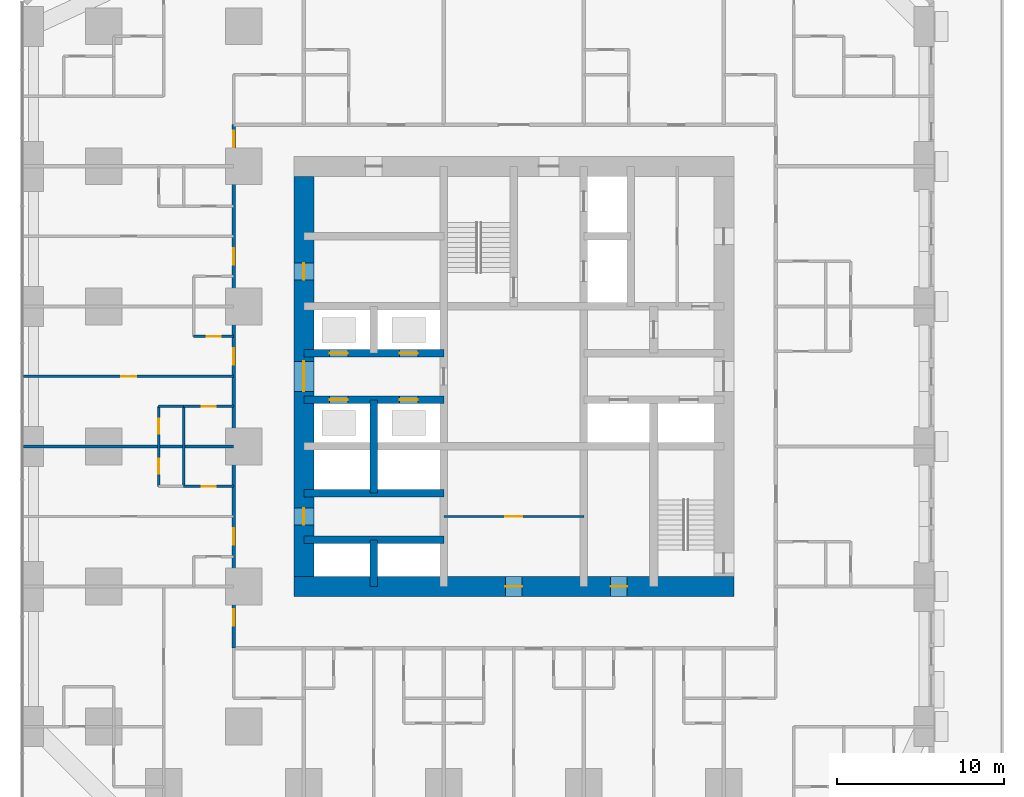
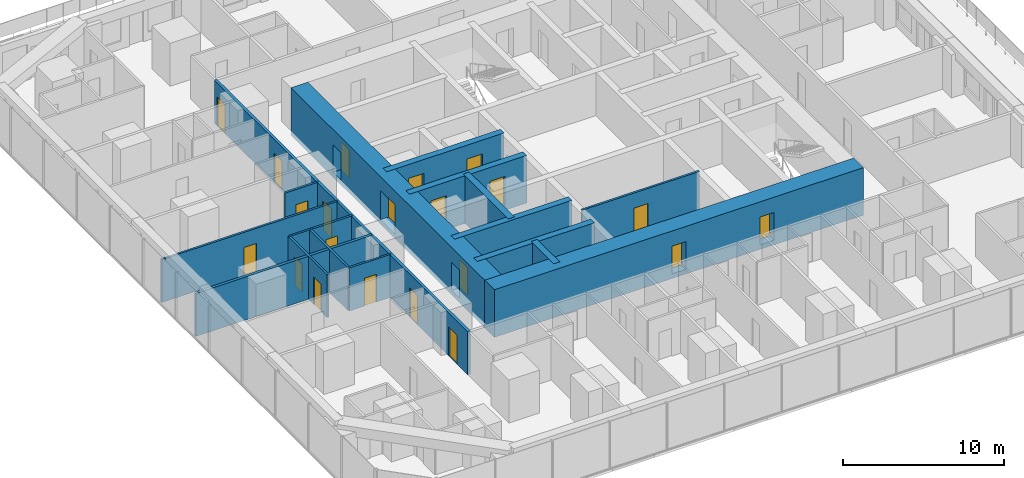
# One storey, part 8 of 16: 21 doors, 18 walls, 21 openings.
"""IFC4 building model written with IfcOpenShell, lengths in metres."""

from ifc_helpers import new_model, si_unit, direction, frame, frame_2d, origin, place, context, subcontext, project, spatial, rectangle, extrude, material, layer, layer_set, type_object, element, fill, save


model = new_model("IFC4")

# Units and contexts
model_context = context("Model", 3, precision=1e-05, world=origin(), true_north=direction((0.0, 1.0)))
body_context = subcontext(model_context, "Body", "Model", "MODEL_VIEW")
ifc_project = project(units=[si_unit("LENGTHUNIT", "METRE"), si_unit("AREAUNIT", "SQUARE_METRE"), si_unit("VOLUMEUNIT", "CUBIC_METRE"), si_unit("PLANEANGLEUNIT", "RADIAN"), si_unit("MASSUNIT", "GRAM", prefix="KILO")], contexts=[model_context])

# Site, building, storey
site_placement = place(None, origin())
site = spatial("IfcSite", under=ifc_project, at=site_placement, CompositionType="ELEMENT")
building_placement = place(site_placement, origin())
building = spatial("IfcBuilding", under=site, at=building_placement, Name="Dunama Terrace Hotel", CompositionType="ELEMENT")
storey_placement = place(building_placement, frame((0.0, 0.0, 93.60009765625)))
storey = spatial("IfcBuildingStorey", under=building, at=storey_placement, Name="L23", CompositionType="ELEMENT", Elevation=93.60009765625)

# Wall, opening, door
ifc_material_1 = material(Name="Gypsum board partition", Category="masonry")
ifc_layer_1 = layer(ifc_material_1, 0.14990234375)
ifc_layer_set_1 = layer_set([ifc_layer_1], Name="Bathroom partition 150")
wall_type_1 = type_object("IfcWallType", Name="Bathroom partition 150", PredefinedType="PARTITIONING", material=ifc_layer_set_1)
wall_1_placement = place(storey_placement, frame((9.60009765625, 22.800048828125, 0.0), z_axis=(0.0, 0.0, 1.0), x_axis=(1.0, 0.0, 0.0)))
wall_1 = element("IfcWall", 1, at=wall_1_placement, inside=storey, type_object=wall_type_1, Name="Bathroom partition 150 L23", PredefinedType="PARTITIONING", context=body_context, shape_type="SweptSolid", body=[
    extrude(rectangle(XDim=3.0, YDim=0.14990234375, at=frame_2d((1.5, 0.0))), origin(), (0.0, 0.0, 1.0), 3.25),
])
opening_1_placement = place(wall_1_placement, frame((1.074951171875, 0.0, 0.0)))
opening_1 = element("IfcOpeningElement", 2, at=opening_1_placement, cuts=wall_1, Name="Opening L23-059", PredefinedType="OPENING", context=body_context, shape_type="SweptSolid", body=[
    extrude(rectangle(XDim=0.85009765625, YDim=2.10009765625, at=frame_2d((0.425048828125, 1.050048828125))), frame((0.0, 0.0849609375, 0.0), z_axis=(0.0, -1.0, 0.0), x_axis=(1.0, 0.0, 0.0)), (0.0, 0.0, 1.0), 0.169921875),
])
ifc_material_2 = material(Name="Timber door with steel frame", Category="steel")
door_type_1 = type_object("IfcDoorType", Name="Bathroom door 850", OperationType="SINGLE_SWING_LEFT", PredefinedType="DOOR", material=ifc_material_2)
door_1_placement = place(opening_1_placement, origin())
door_1 = element("IfcDoor", 3, at=door_1_placement, inside=storey, type_object=door_type_1, Name="Door to en-suite bathroom L23-059, type D2", OperationType="SINGLE_SWING_RIGHT", OverallHeight=2.10009765625, OverallWidth=0.85009765625, PredefinedType="DOOR", context=body_context, shape_type="SweptSolid", body=[
    extrude(rectangle(XDim=0.85009765625, YDim=2.10009765625, at=frame_2d((0.425048828125, 1.050048828125))), frame((0.0, 0.02490234375, 0.0), z_axis=(0.0, -1.0, 0.0), x_axis=(1.0, 0.0, 0.0)), (0.0, 0.0, 1.0), 0.050048828125),
])
fill(opening_1, door_1)

wall_2_placement = place(storey_placement, frame((9.60009765625, 27.60009765625, 0.0), z_axis=(0.0, 0.0, 1.0), x_axis=(1.0, 0.0, 0.0)))
wall_2 = element("IfcWall", 4, at=wall_2_placement, inside=storey, type_object=wall_type_1, Name="Bathroom partition 150 L23", PredefinedType="PARTITIONING", context=body_context, shape_type="SweptSolid", body=[
    extrude(rectangle(XDim=3.0, YDim=0.14990234375, at=frame_2d((1.5, 0.0))), origin(), (0.0, 0.0, 1.0), 3.25),
])
opening_2_placement = place(wall_2_placement, frame((1.074951171875, 0.0, 0.0)))
opening_2 = element("IfcOpeningElement", 5, at=opening_2_placement, cuts=wall_2, Name="Opening L23-064", PredefinedType="OPENING", context=body_context, shape_type="SweptSolid", body=[
    extrude(rectangle(XDim=0.85009765625, YDim=2.10009765625, at=frame_2d((0.425048828125, 1.050048828125))), frame((0.0, 0.0849609375, 0.0), z_axis=(0.0, -1.0, 0.0), x_axis=(1.0, 0.0, 0.0)), (0.0, 0.0, 1.0), 0.169921875),
])
door_2_placement = place(opening_2_placement, frame((0.85009765625, 0.0, 0.0), z_axis=(0.0, 0.0, 1.0), x_axis=(-1.0, 0.0, 0.0)))
door_2 = element("IfcDoor", 6, at=door_2_placement, inside=storey, type_object=door_type_1, Name="Door to en-suite bathroom L23-064, type D2", OperationType="SINGLE_SWING_LEFT", OverallHeight=2.10009765625, OverallWidth=0.85009765625, PredefinedType="DOOR", context=body_context, shape_type="SweptSolid", body=[
    extrude(rectangle(XDim=0.85009765625, YDim=2.10009765625, at=frame_2d((0.425048828125, 1.050048828125))), frame((0.0, 0.025146484375, 0.0), z_axis=(0.0, -1.0, 0.0), x_axis=(1.0, 0.0, 0.0)), (0.0, 0.0, 1.0), 0.050048828125),
])
fill(opening_2, door_2)

wall_3_placement = place(storey_placement, frame((10.199951171875, 31.800048828125, 0.0), z_axis=(0.0, 0.0, 1.0), x_axis=(1.0, 0.0, 0.0)))
wall_3 = element("IfcWall", 7, at=wall_3_placement, inside=storey, type_object=wall_type_1, Name="Bathroom partition 150 L23", PredefinedType="PARTITIONING", context=body_context, shape_type="SweptSolid", body=[
    extrude(rectangle(XDim=2.400146484375, YDim=0.14990234375, at=frame_2d((1.2001953125, 0.0))), origin(), (0.0, 0.0, 1.0), 3.25),
])
opening_3_placement = place(wall_3_placement, frame((0.77490234375, 0.0, 0.0)))
opening_3 = element("IfcOpeningElement", 8, at=opening_3_placement, cuts=wall_3, Name="Opening L23-062", PredefinedType="OPENING", context=body_context, shape_type="SweptSolid", body=[
    extrude(rectangle(XDim=0.85009765625, YDim=2.10009765625, at=frame_2d((0.425048828125, 1.050048828125))), frame((0.0, 0.0849609375, 0.0), z_axis=(0.0, -1.0, 0.0), x_axis=(1.0, 0.0, 0.0)), (0.0, 0.0, 1.0), 0.169921875),
])
door_3_placement = place(opening_3_placement, origin())
door_3 = element("IfcDoor", 9, at=door_3_placement, inside=storey, type_object=door_type_1, Name="Door to powder room L23-062, type D2", OperationType="SINGLE_SWING_RIGHT", OverallHeight=2.10009765625, OverallWidth=0.85009765625, PredefinedType="DOOR", context=body_context, shape_type="SweptSolid", body=[
    extrude(rectangle(XDim=0.85009765625, YDim=2.10009765625, at=frame_2d((0.425048828125, 1.050048828125))), frame((0.0, 0.02490234375, 0.0), z_axis=(0.0, -1.0, 0.0), x_axis=(1.0, 0.0, 0.0)), (0.0, 0.0, 1.0), 0.050048828125),
])
fill(opening_3, door_3)

# Walls
ifc_material_3 = material(Name="Concrete C50/60", Category="concrete")
ifc_layer_2 = layer(ifc_material_3, 0.449951171875)
ifc_layer_set_2 = layer_set([ifc_layer_2], Name="Core inner wall 450")
wall_type_2 = type_object("IfcWallType", Name="Core inner wall 450", PredefinedType="SHEAR", material=ifc_layer_set_2)
wall_4_placement = place(storey_placement, frame((21.0, 16.800048828125, -0.35009765625), z_axis=(0.0, 0.0, 1.0), x_axis=(0.0, 1.0, 0.0)))
element("IfcWall", 10, at=wall_4_placement, inside=storey, type_object=wall_type_2, Name="Core inner wall 450 L23", PredefinedType="SHEAR", context=body_context, shape_type="SweptSolid", body=[
    extrude(rectangle(XDim=2.800048828125, YDim=0.449951171875, at=frame_2d((1.39990234375, 0.0))), origin(), (0.0, 0.0, 1.0), 3.60009765625),
])
wall_5_placement = place(storey_placement, frame((21.0, 22.39990234375, -0.35009765625), z_axis=(0.0, 0.0, 1.0), x_axis=(0.0, 1.0, 0.0)))
element("IfcWall", 11, at=wall_5_placement, inside=storey, type_object=wall_type_2, Name="Core inner wall 450 L23", PredefinedType="SHEAR", context=body_context, shape_type="SweptSolid", body=[
    extrude(rectangle(XDim=5.60009765625, YDim=0.449951171875, at=frame_2d((2.800048828125, 0.0))), origin(), (0.0, 0.0, 1.0), 3.60009765625),
])
for number, where, z_axis, x_axis, name in (
    (12, (16.800048828125, 19.60009765625, -0.35009765625), (0.0, 0.0, 1.0), (1.0, 0.0, 0.0), "Core inner wall 450 L23"),
    (13, (16.800048828125, 22.39990234375, -0.35009765625), (0.0, 0.0, 1.0), (1.0, 0.0, 0.0), "Core inner wall 450 L23"),
):
    element("IfcWall", number, at=place(storey_placement, frame(where, z_axis=z_axis, x_axis=x_axis)), inside=storey, type_object=wall_type_2, Name=name, PredefinedType="SHEAR", context=body_context, shape_type="SweptSolid", body=[
        extrude(rectangle(XDim=8.39990234375, YDim=0.449951171875, at=frame_2d((4.199951171875, 0.0))), origin(), (0.0, 0.0, 1.0), 3.60009765625),
    ])

# Wall, openings, doors
wall_6_placement = place(storey_placement, frame((16.800048828125, 28.0, -0.35009765625), z_axis=(0.0, 0.0, 1.0), x_axis=(1.0, 0.0, 0.0)))
wall_6 = element("IfcWall", 14, at=wall_6_placement, inside=storey, type_object=wall_type_2, Name="Core inner wall 450 L23", PredefinedType="SHEAR", context=body_context, shape_type="SweptSolid", body=[
    extrude(rectangle(XDim=8.39990234375, YDim=0.449951171875, at=frame_2d((4.199951171875, 0.0))), origin(), (0.0, 0.0, 1.0), 3.60009765625),
])
opening_4_placement = place(wall_6_placement, frame((1.550048828125, 0.0, 0.35009765625)))
opening_4 = element("IfcOpeningElement", 15, at=opening_4_placement, cuts=wall_6, Name="Opening L23-019", PredefinedType="OPENING", context=body_context, shape_type="SweptSolid", body=[
    extrude(rectangle(XDim=1.10009765625, YDim=2.199951171875, at=frame_2d((0.550048828125, 1.10009765625))), frame((0.0, 0.23486328125, 0.0), z_axis=(0.0, -1.0, 0.0), x_axis=(1.0, 0.0, 0.0)), (0.0, 0.0, 1.0), 0.469970703125),
])
opening_5_placement = place(wall_6_placement, frame((5.75, 0.0, 0.35009765625)))
opening_5 = element("IfcOpeningElement", 16, at=opening_5_placement, cuts=wall_6, Name="Opening L23-020", PredefinedType="OPENING", context=body_context, shape_type="SweptSolid", body=[
    extrude(rectangle(XDim=1.10009765625, YDim=2.199951171875, at=frame_2d((0.550048828125, 1.10009765625))), frame((0.0, 0.23486328125, 0.0), z_axis=(0.0, -1.0, 0.0), x_axis=(1.0, 0.0, 0.0)), (0.0, 0.0, 1.0), 0.469970703125),
])
ifc_material_4 = material(Name="Stainless steel lift door", Category="steel")
door_type_2 = type_object("IfcDoorType", Name="Lift landing door 1100", OperationType="DOUBLE_DOOR_SLIDING", PredefinedType="DOOR", material=ifc_material_4)
door_4_placement = place(opening_4_placement, origin())
door_4 = element("IfcDoor", 17, at=door_4_placement, inside=storey, type_object=door_type_2, Name="Landing door PC1 L23-019, type LD1", OperationType="DOUBLE_DOOR_SLIDING", OverallHeight=2.199951171875, OverallWidth=1.10009765625, PredefinedType="DOOR", context=body_context, shape_type="SweptSolid", body=[
    extrude(rectangle(XDim=1.10009765625, YDim=2.199951171875, at=frame_2d((0.550048828125, 1.10009765625))), frame((0.0, 0.02490234375, 0.0), z_axis=(0.0, -1.0, 0.0), x_axis=(1.0, 0.0, 0.0)), (0.0, 0.0, 1.0), 0.050048828125),
])
fill(opening_4, door_4)
door_5_placement = place(opening_5_placement, origin())
door_5 = element("IfcDoor", 18, at=door_5_placement, inside=storey, type_object=door_type_2, Name="Landing door PC2 L23-020, type LD1", OperationType="DOUBLE_DOOR_SLIDING", OverallHeight=2.199951171875, OverallWidth=1.10009765625, PredefinedType="DOOR", context=body_context, shape_type="SweptSolid", body=[
    extrude(rectangle(XDim=1.10009765625, YDim=2.199951171875, at=frame_2d((0.550048828125, 1.10009765625))), frame((0.0, 0.02490234375, 0.0), z_axis=(0.0, -1.0, 0.0), x_axis=(1.0, 0.0, 0.0)), (0.0, 0.0, 1.0), 0.050048828125),
])
fill(opening_5, door_5)

wall_7_placement = place(storey_placement, frame((16.800048828125, 30.800048828125, -0.35009765625), z_axis=(0.0, 0.0, 1.0), x_axis=(1.0, 0.0, 0.0)))
wall_7 = element("IfcWall", 19, at=wall_7_placement, inside=storey, type_object=wall_type_2, Name="Core inner wall 450 L23", PredefinedType="SHEAR", context=body_context, shape_type="SweptSolid", body=[
    extrude(rectangle(XDim=8.39990234375, YDim=0.449951171875, at=frame_2d((4.199951171875, 0.0))), origin(), (0.0, 0.0, 1.0), 3.60009765625),
])
opening_6_placement = place(wall_7_placement, frame((1.550048828125, 0.0, 0.35009765625)))
opening_6 = element("IfcOpeningElement", 20, at=opening_6_placement, cuts=wall_7, Name="Opening L23-021", PredefinedType="OPENING", context=body_context, shape_type="SweptSolid", body=[
    extrude(rectangle(XDim=1.10009765625, YDim=2.199951171875, at=frame_2d((0.550048828125, 1.10009765625))), frame((0.0, 0.23486328125, 0.0), z_axis=(0.0, -1.0, 0.0), x_axis=(1.0, 0.0, 0.0)), (0.0, 0.0, 1.0), 0.469970703125),
])
opening_7_placement = place(wall_7_placement, frame((5.75, 0.0, 0.35009765625)))
opening_7 = element("IfcOpeningElement", 21, at=opening_7_placement, cuts=wall_7, Name="Opening L23-022", PredefinedType="OPENING", context=body_context, shape_type="SweptSolid", body=[
    extrude(rectangle(XDim=1.10009765625, YDim=2.199951171875, at=frame_2d((0.550048828125, 1.10009765625))), frame((0.0, 0.23486328125, 0.0), z_axis=(0.0, -1.0, 0.0), x_axis=(1.0, 0.0, 0.0)), (0.0, 0.0, 1.0), 0.469970703125),
])
door_6_placement = place(opening_6_placement, origin())
door_6 = element("IfcDoor", 22, at=door_6_placement, inside=storey, type_object=door_type_2, Name="Landing door PC3 L23-021, type LD1", OperationType="DOUBLE_DOOR_SLIDING", OverallHeight=2.199951171875, OverallWidth=1.10009765625, PredefinedType="DOOR", context=body_context, shape_type="SweptSolid", body=[
    extrude(rectangle(XDim=1.10009765625, YDim=2.199951171875, at=frame_2d((0.550048828125, 1.10009765625))), frame((0.0, 0.02490234375, 0.0), z_axis=(0.0, -1.0, 0.0), x_axis=(1.0, 0.0, 0.0)), (0.0, 0.0, 1.0), 0.050048828125),
])
fill(opening_6, door_6)
door_7_placement = place(opening_7_placement, origin())
door_7 = element("IfcDoor", 23, at=door_7_placement, inside=storey, type_object=door_type_2, Name="Landing door PC4 L23-022, type LD1", OperationType="DOUBLE_DOOR_SLIDING", OverallHeight=2.199951171875, OverallWidth=1.10009765625, PredefinedType="DOOR", context=body_context, shape_type="SweptSolid", body=[
    extrude(rectangle(XDim=1.10009765625, YDim=2.199951171875, at=frame_2d((0.550048828125, 1.10009765625))), frame((0.0, 0.02490234375, 0.0), z_axis=(0.0, -1.0, 0.0), x_axis=(1.0, 0.0, 0.0)), (0.0, 0.0, 1.0), 0.050048828125),
])
fill(opening_7, door_7)

ifc_material_5 = material(Name="Concrete C60/75", Category="concrete")
ifc_layer_3 = layer(ifc_material_5, 1.199951171875)
ifc_layer_set_3 = layer_set([ifc_layer_3], Name="Core wall 1200")
wall_type_3 = type_object("IfcWallType", Name="Core wall 1200", PredefinedType="SHEAR", material=ifc_layer_set_3)
wall_8_placement = place(storey_placement, frame((16.199951171875, 16.800048828125, -0.35009765625), z_axis=(0.0, 0.0, 1.0), x_axis=(1.0, 0.0, 0.0)))
wall_8 = element("IfcWall", 24, at=wall_8_placement, inside=storey, type_object=wall_type_3, Name="Core wall south L23", PredefinedType="SHEAR", context=body_context, shape_type="SweptSolid", body=[
    extrude(rectangle(XDim=26.400146484375, YDim=1.199951171875, at=frame_2d((13.2001953125, 0.0))), origin(), (0.0, 0.0, 1.0), 3.60009765625),
])
opening_8_placement = place(wall_8_placement, frame((12.699951171875, 0.0, 0.35009765625)))
opening_8 = element("IfcOpeningElement", 25, at=opening_8_placement, cuts=wall_8, Name="Opening L23-103", PredefinedType="OPENING", context=body_context, shape_type="SweptSolid", body=[
    extrude(rectangle(XDim=1.0, YDim=2.10009765625, at=frame_2d((0.5, 1.050048828125))), frame((0.0, 0.60986328125, 0.0), z_axis=(0.0, -1.0, 0.0), x_axis=(1.0, 0.0, 0.0)), (0.0, 0.0, 1.0), 1.219970703125),
])
opening_9_placement = place(wall_8_placement, frame((19.0, 0.0, 0.35009765625)))
opening_9 = element("IfcOpeningElement", 26, at=opening_9_placement, cuts=wall_8, Name="Opening L23-105", PredefinedType="OPENING", context=body_context, shape_type="SweptSolid", body=[
    extrude(rectangle(XDim=1.0, YDim=2.10009765625, at=frame_2d((0.5, 1.050048828125))), frame((0.0, 0.60986328125, 0.0), z_axis=(0.0, -1.0, 0.0), x_axis=(1.0, 0.0, 0.0)), (0.0, 0.0, 1.0), 1.219970703125),
])
ifc_material_6 = material(Name="Timber door with steel frame", Category="steel")
door_type_3 = type_object("IfcDoorType", Name="Service door 1000", OperationType="SINGLE_SWING_LEFT", PredefinedType="DOOR", material=ifc_material_6)
door_8_placement = place(opening_8_placement, origin())
door_8 = element("IfcDoor", 27, at=door_8_placement, inside=storey, type_object=door_type_3, Name="Door to corridor air handling room L23-103, type D7", OperationType="SINGLE_SWING_LEFT", OverallHeight=2.10009765625, OverallWidth=1.0, PredefinedType="DOOR", context=body_context, shape_type="SweptSolid", body=[
    extrude(rectangle(XDim=1.0, YDim=2.10009765625, at=frame_2d((0.5, 1.050048828125))), frame((0.0, 0.02490234375, 0.0), z_axis=(0.0, -1.0, 0.0), x_axis=(1.0, 0.0, 0.0)), (0.0, 0.0, 1.0), 0.050048828125),
])
fill(opening_8, door_8)
door_9_placement = place(opening_9_placement, origin())
door_9 = element("IfcDoor", 28, at=door_9_placement, inside=storey, type_object=door_type_3, Name="Door to water riser room L23-105, type D7", OperationType="SINGLE_SWING_RIGHT", OverallHeight=2.10009765625, OverallWidth=1.0, PredefinedType="DOOR", context=body_context, shape_type="SweptSolid", body=[
    extrude(rectangle(XDim=1.0, YDim=2.10009765625, at=frame_2d((0.5, 1.050048828125))), frame((0.0, 0.02490234375, 0.0), z_axis=(0.0, -1.0, 0.0), x_axis=(1.0, 0.0, 0.0)), (0.0, 0.0, 1.0), 0.050048828125),
])
fill(opening_9, door_9)

wall_9_placement = place(storey_placement, frame((16.800048828125, 41.39990234375, -0.35009765625), z_axis=(0.0, 0.0, 1.0), x_axis=(0.0, -1.0, 0.0)))
wall_9 = element("IfcWall", 29, at=wall_9_placement, inside=storey, type_object=wall_type_3, Name="Core wall west L23", PredefinedType="SHEAR", context=body_context, shape_type="SweptSolid", body=[
    extrude(rectangle(XDim=24.0, YDim=1.199951171875, at=frame_2d((12.0, 0.0))), origin(), (0.0, 0.0, 1.0), 3.60009765625),
])
opening_10_placement = place(wall_9_placement, frame((11.10009765625, 0.0, 0.35009765625)))
opening_10 = element("IfcOpeningElement", 30, at=opening_10_placement, cuts=wall_9, Name="Opening L23-092", PredefinedType="OPENING", context=body_context, shape_type="SweptSolid", body=[
    extrude(rectangle(XDim=1.800048828125, YDim=2.199951171875, at=frame_2d((0.89990234375, 1.10009765625))), frame((0.0, 0.60986328125, 0.0), z_axis=(0.0, -1.0, 0.0), x_axis=(1.0, 0.0, 0.0)), (0.0, 0.0, 1.0), 1.219970703125),
])
opening_11_placement = place(wall_9_placement, frame((19.89990234375, 0.0, 0.35009765625)))
opening_11 = element("IfcOpeningElement", 31, at=opening_11_placement, cuts=wall_9, Name="Opening L23-093", PredefinedType="OPENING", context=body_context, shape_type="SweptSolid", body=[
    extrude(rectangle(XDim=1.0, YDim=2.10009765625, at=frame_2d((0.5, 1.050048828125))), frame((0.0, 0.60986328125, 0.0), z_axis=(0.0, -1.0, 0.0), x_axis=(1.0, 0.0, 0.0)), (0.0, 0.0, 1.0), 1.219970703125),
])
opening_12_placement = place(wall_9_placement, frame((5.199951171875, 0.0, 0.35009765625)))
opening_12 = element("IfcOpeningElement", 32, at=opening_12_placement, cuts=wall_9, Name="Opening L23-094", PredefinedType="OPENING", context=body_context, shape_type="SweptSolid", body=[
    extrude(rectangle(XDim=1.0, YDim=2.10009765625, at=frame_2d((0.5, 1.050048828125))), frame((0.0, 0.60986328125, 0.0), z_axis=(0.0, -1.0, 0.0), x_axis=(1.0, 0.0, 0.0)), (0.0, 0.0, 1.0), 1.219970703125),
])
ifc_material_7 = material(Name="Timber door with steel frame", Category="steel")
door_type_4 = type_object("IfcDoorType", Name="Lift lobby double door 1800", OperationType="DOUBLE_DOOR_DOUBLE_SWING", PredefinedType="DOOR", material=ifc_material_7)
door_10_placement = place(opening_10_placement, origin())
door_10 = element("IfcDoor", 33, at=door_10_placement, inside=storey, type_object=door_type_4, Name="Door to lift lobby L23-092, type D3", OperationType="DOUBLE_DOOR_DOUBLE_SWING", OverallHeight=2.199951171875, OverallWidth=1.800048828125, PredefinedType="DOOR", context=body_context, shape_type="SweptSolid", body=[
    extrude(rectangle(XDim=1.800048828125, YDim=2.199951171875, at=frame_2d((0.89990234375, 1.10009765625))), frame((0.0, 0.02490234375, 0.0), z_axis=(0.0, -1.0, 0.0), x_axis=(1.0, 0.0, 0.0)), (0.0, 0.0, 1.0), 0.050048828125),
])
fill(opening_10, door_10)
door_11_placement = place(opening_11_placement, origin())
door_11 = element("IfcDoor", 34, at=door_11_placement, inside=storey, type_object=door_type_3, Name="Door to service lobby L23-093, type D7", OperationType="SINGLE_SWING_LEFT", OverallHeight=2.10009765625, OverallWidth=1.0, PredefinedType="DOOR", context=body_context, shape_type="SweptSolid", body=[
    extrude(rectangle(XDim=1.0, YDim=2.10009765625, at=frame_2d((0.5, 1.050048828125))), frame((0.0, 0.02490234375, 0.0), z_axis=(0.0, -1.0, 0.0), x_axis=(1.0, 0.0, 0.0)), (0.0, 0.0, 1.0), 0.050048828125),
])
fill(opening_11, door_11)
door_12_placement = place(opening_12_placement, origin())
door_12 = element("IfcDoor", 35, at=door_12_placement, inside=storey, type_object=door_type_3, Name="Door to electrical room L23-094, type D7", OperationType="SINGLE_SWING_RIGHT", OverallHeight=2.10009765625, OverallWidth=1.0, PredefinedType="DOOR", context=body_context, shape_type="SweptSolid", body=[
    extrude(rectangle(XDim=1.0, YDim=2.10009765625, at=frame_2d((0.5, 1.050048828125))), frame((0.0, 0.02490234375, 0.0), z_axis=(0.0, -1.0, 0.0), x_axis=(1.0, 0.0, 0.0)), (0.0, 0.0, 1.0), 0.050048828125),
])
fill(opening_12, door_12)

ifc_material_8 = material(Name="Concrete blockwork", Category="masonry")
ifc_layer_4 = layer(ifc_material_8, 0.199951171875)
ifc_layer_set_4 = layer_set([ifc_layer_4], Name="Corridor partition 200")
wall_type_4 = type_object("IfcWallType", Name="Corridor partition 200", PredefinedType="PARTITIONING", material=ifc_layer_set_4)
wall_10_placement = place(storey_placement, frame((12.60009765625, 13.10009765625, 0.0), z_axis=(0.0, 0.0, 1.0), x_axis=(0.0, 1.0, 0.0)))
wall_10 = element("IfcWall", 36, at=wall_10_placement, inside=storey, type_object=wall_type_4, Name="Corridor partition 200 L23", PredefinedType="PARTITIONING", context=body_context, shape_type="SweptSolid", body=[
    extrude(rectangle(XDim=31.39990234375, YDim=0.199951171875, at=frame_2d((15.699951171875, 0.0))), origin(), (0.0, 0.0, 1.0), 3.25),
])
opening_13_placement = place(wall_10_placement, frame((6.199951171875, 0.0, 0.0)))
opening_13 = element("IfcOpeningElement", 37, at=opening_13_placement, cuts=wall_10, Name="Opening L23-056", PredefinedType="OPENING", context=body_context, shape_type="SweptSolid", body=[
    extrude(rectangle(XDim=1.0, YDim=2.199951171875, at=frame_2d((0.5, 1.10009765625))), frame((0.0, 0.10986328125, 0.0), z_axis=(0.0, -1.0, 0.0), x_axis=(1.0, 0.0, 0.0)), (0.0, 0.0, 1.0), 0.219970703125),
])
opening_14_placement = place(wall_10_placement, frame((17.0, 0.0, 0.0)))
opening_14 = element("IfcOpeningElement", 38, at=opening_14_placement, cuts=wall_10, Name="Opening L23-061", PredefinedType="OPENING", context=body_context, shape_type="SweptSolid", body=[
    extrude(rectangle(XDim=1.0, YDim=2.199951171875, at=frame_2d((0.5, 1.10009765625))), frame((0.0, 0.10986328125, 0.0), z_axis=(0.0, -1.0, 0.0), x_axis=(1.0, 0.0, 0.0)), (0.0, 0.0, 1.0), 0.219970703125),
])
opening_15_placement = place(wall_10_placement, frame((23.0, 0.0, 0.0)))
opening_15 = element("IfcOpeningElement", 39, at=opening_15_placement, cuts=wall_10, Name="Opening L23-066", PredefinedType="OPENING", context=body_context, shape_type="SweptSolid", body=[
    extrude(rectangle(XDim=1.0, YDim=2.199951171875, at=frame_2d((0.5, 1.10009765625))), frame((0.0, 0.10986328125, 0.0), z_axis=(0.0, -1.0, 0.0), x_axis=(1.0, 0.0, 0.0)), (0.0, 0.0, 1.0), 0.219970703125),
])
opening_16_placement = place(wall_10_placement, frame((1.35009765625, 0.0, 0.0)))
opening_16 = element("IfcOpeningElement", 40, at=opening_16_placement, cuts=wall_10, Name="Opening L23-071", PredefinedType="OPENING", context=body_context, shape_type="SweptSolid", body=[
    extrude(rectangle(XDim=1.0, YDim=2.199951171875, at=frame_2d((0.5, 1.10009765625))), frame((0.0, 0.10986328125, 0.0), z_axis=(0.0, -1.0, 0.0), x_axis=(1.0, 0.0, 0.0)), (0.0, 0.0, 1.0), 0.219970703125),
])
opening_17_placement = place(wall_10_placement, frame((30.050048828125, 0.0, 0.0)))
opening_17 = element("IfcOpeningElement", 41, at=opening_17_placement, cuts=wall_10, Name="Opening L23-087", PredefinedType="OPENING", context=body_context, shape_type="SweptSolid", body=[
    extrude(rectangle(XDim=1.0, YDim=2.199951171875, at=frame_2d((0.5, 1.10009765625))), frame((0.0, 0.10986328125, 0.0), z_axis=(0.0, -1.0, 0.0), x_axis=(1.0, 0.0, 0.0)), (0.0, 0.0, 1.0), 0.219970703125),
])
ifc_material_9 = material(Name="Timber door with steel frame", Category="steel")
door_type_5 = type_object("IfcDoorType", Name="Guest room door 1000", OperationType="SINGLE_SWING_LEFT", PredefinedType="DOOR", material=ifc_material_9)
door_13_placement = place(opening_13_placement, origin())
door_13 = element("IfcDoor", 42, at=door_13_placement, inside=storey, type_object=door_type_5, Name="Door to premier suite living room L23-056, type D1", OperationType="SINGLE_SWING_LEFT", OverallHeight=2.199951171875, OverallWidth=1.0, PredefinedType="DOOR", context=body_context, shape_type="SweptSolid", body=[
    extrude(rectangle(XDim=1.0, YDim=2.199951171875, at=frame_2d((0.5, 1.10009765625))), frame((0.0, 0.02490234375, 0.0), z_axis=(0.0, -1.0, 0.0), x_axis=(1.0, 0.0, 0.0)), (0.0, 0.0, 1.0), 0.050048828125),
])
fill(opening_13, door_13)
door_14_placement = place(opening_14_placement, origin())
door_14 = element("IfcDoor", 43, at=door_14_placement, inside=storey, type_object=door_type_5, Name="Door to premier suite living room L23-061, type D1", OperationType="SINGLE_SWING_RIGHT", OverallHeight=2.199951171875, OverallWidth=1.0, PredefinedType="DOOR", context=body_context, shape_type="SweptSolid", body=[
    extrude(rectangle(XDim=1.0, YDim=2.199951171875, at=frame_2d((0.5, 1.10009765625))), frame((0.0, 0.02490234375, 0.0), z_axis=(0.0, -1.0, 0.0), x_axis=(1.0, 0.0, 0.0)), (0.0, 0.0, 1.0), 0.050048828125),
])
fill(opening_14, door_14)
door_15_placement = place(opening_15_placement, origin())
door_15 = element("IfcDoor", 44, at=door_15_placement, inside=storey, type_object=door_type_5, Name="Door to premier suite living room L23-066, type D1", OperationType="SINGLE_SWING_RIGHT", OverallHeight=2.199951171875, OverallWidth=1.0, PredefinedType="DOOR", context=body_context, shape_type="SweptSolid", body=[
    extrude(rectangle(XDim=1.0, YDim=2.199951171875, at=frame_2d((0.5, 1.10009765625))), frame((0.0, 0.02490234375, 0.0), z_axis=(0.0, -1.0, 0.0), x_axis=(1.0, 0.0, 0.0)), (0.0, 0.0, 1.0), 0.050048828125),
])
fill(opening_15, door_15)
door_16_placement = place(opening_16_placement, origin())
door_16 = element("IfcDoor", 45, at=door_16_placement, inside=storey, type_object=door_type_5, Name="Door to corner suite living room L23-071, type D1", OperationType="SINGLE_SWING_RIGHT", OverallHeight=2.199951171875, OverallWidth=1.0, PredefinedType="DOOR", context=body_context, shape_type="SweptSolid", body=[
    extrude(rectangle(XDim=1.0, YDim=2.199951171875, at=frame_2d((0.5, 1.10009765625))), frame((0.0, 0.02490234375, 0.0), z_axis=(0.0, -1.0, 0.0), x_axis=(1.0, 0.0, 0.0)), (0.0, 0.0, 1.0), 0.050048828125),
])
fill(opening_16, door_16)
door_17_placement = place(opening_17_placement, origin())
door_17 = element("IfcDoor", 46, at=door_17_placement, inside=storey, type_object=door_type_5, Name="Door to corner suite living room L23-087, type D1", OperationType="SINGLE_SWING_LEFT", OverallHeight=2.199951171875, OverallWidth=1.0, PredefinedType="DOOR", context=body_context, shape_type="SweptSolid", body=[
    extrude(rectangle(XDim=1.0, YDim=2.199951171875, at=frame_2d((0.5, 1.10009765625))), frame((0.0, 0.02490234375, 0.0), z_axis=(0.0, -1.0, 0.0), x_axis=(1.0, 0.0, 0.0)), (0.0, 0.0, 1.0), 0.050048828125),
])
fill(opening_17, door_17)

# Wall
ifc_material_10 = material(Name="Concrete blockwork", Category="masonry")
ifc_layer_5 = layer(ifc_material_10, 0.199951171875)
ifc_layer_set_5 = layer_set([ifc_layer_5], Name="Party wall 200")
wall_type_5 = type_object("IfcWallType", Name="Party wall 200", PredefinedType="PARTITIONING", material=ifc_layer_set_5)
wall_11_placement = place(storey_placement, frame((-0.01806640625, 25.199951171875, 0.0), z_axis=(0.0, 0.0, 1.0), x_axis=(1.0, 0.0, 0.0)))
element("IfcWall", 47, at=wall_11_placement, inside=storey, type_object=wall_type_5, Name="Party wall 200 L23", PredefinedType="PARTITIONING", context=body_context, shape_type="SweptSolid", body=[
    extrude(rectangle(XDim=12.6181640625, YDim=0.199951171875, at=frame_2d((6.30908203125, 0.0))), origin(), (0.0, 0.0, 1.0), 3.25),
])

# Wall, openings, doors
ifc_material_11 = material(Name="Gypsum board partition", Category="masonry")
ifc_layer_6 = layer(ifc_material_11, 0.14990234375)
ifc_layer_set_6 = layer_set([ifc_layer_6], Name="Room partition 150")
wall_type_6 = type_object("IfcWallType", Name="Room partition 150", PredefinedType="PARTITIONING", material=ifc_layer_set_6)
wall_12_placement = place(storey_placement, frame((8.10009765625, 22.800048828125, 0.0), z_axis=(0.0, 0.0, 1.0), x_axis=(0.0, 1.0, 0.0)))
wall_12 = element("IfcWall", 48, at=wall_12_placement, inside=storey, type_object=wall_type_6, Name="Room partition 150 L23", PredefinedType="PARTITIONING", context=body_context, shape_type="SweptSolid", body=[
    extrude(rectangle(XDim=4.800048828125, YDim=0.14990234375, at=frame_2d((2.39990234375, 0.0))), origin(), (0.0, 0.0, 1.0), 3.25),
])
opening_18_placement = place(wall_12_placement, frame((0.75, 0.0, 0.0)))
opening_18 = element("IfcOpeningElement", 49, at=opening_18_placement, cuts=wall_12, Name="Opening L23-060", PredefinedType="OPENING", context=body_context, shape_type="SweptSolid", body=[
    extrude(rectangle(XDim=0.89990234375, YDim=2.10009765625, at=frame_2d((0.449951171875, 1.050048828125))), frame((0.0, 0.0849609375, 0.0), z_axis=(0.0, -1.0, 0.0), x_axis=(1.0, 0.0, 0.0)), (0.0, 0.0, 1.0), 0.169921875),
])
opening_19_placement = place(wall_12_placement, frame((3.14990234375, 0.0, 0.0)))
opening_19 = element("IfcOpeningElement", 50, at=opening_19_placement, cuts=wall_12, Name="Opening L23-065", PredefinedType="OPENING", context=body_context, shape_type="SweptSolid", body=[
    extrude(rectangle(XDim=0.89990234375, YDim=2.10009765625, at=frame_2d((0.449951171875, 1.050048828125))), frame((0.0, 0.0849609375, 0.0), z_axis=(0.0, -1.0, 0.0), x_axis=(1.0, 0.0, 0.0)), (0.0, 0.0, 1.0), 0.169921875),
])
ifc_material_12 = material(Name="Timber door with steel frame", Category="steel")
door_type_6 = type_object("IfcDoorType", Name="Suite internal door 900", OperationType="SINGLE_SWING_LEFT", PredefinedType="DOOR", material=ifc_material_12)
door_18_placement = place(opening_18_placement, frame((0.89990234375, 0.0, 0.0), z_axis=(0.0, 0.0, 1.0), x_axis=(-1.0, 0.0, 0.0)))
door_18 = element("IfcDoor", 51, at=door_18_placement, inside=storey, type_object=door_type_6, Name="Door to walk-in wardrobe L23-060, type D16", OperationType="SINGLE_SWING_RIGHT", OverallHeight=2.10009765625, OverallWidth=0.89990234375, PredefinedType="DOOR", context=body_context, shape_type="SweptSolid", body=[
    extrude(rectangle(XDim=0.89990234375, YDim=2.10009765625, at=frame_2d((0.449951171875, 1.050048828125))), frame((0.0, 0.025146484375, 0.0), z_axis=(0.0, -1.0, 0.0), x_axis=(1.0, 0.0, 0.0)), (0.0, 0.0, 1.0), 0.050048828125),
])
fill(opening_18, door_18)
door_19_placement = place(opening_19_placement, frame((0.89990234375, 0.0, 0.0), z_axis=(0.0, 0.0, 1.0), x_axis=(-1.0, 0.0, 0.0)))
door_19 = element("IfcDoor", 52, at=door_19_placement, inside=storey, type_object=door_type_6, Name="Door to walk-in wardrobe L23-065, type D16", OperationType="SINGLE_SWING_RIGHT", OverallHeight=2.10009765625, OverallWidth=0.89990234375, PredefinedType="DOOR", context=body_context, shape_type="SweptSolid", body=[
    extrude(rectangle(XDim=0.89990234375, YDim=2.10009765625, at=frame_2d((0.449951171875, 1.050048828125))), frame((0.0, 0.025146484375, 0.0), z_axis=(0.0, -1.0, 0.0), x_axis=(1.0, 0.0, 0.0)), (0.0, 0.0, 1.0), 0.050048828125),
])
fill(opening_19, door_19)

# Wall
wall_13_placement = place(storey_placement, frame((9.60009765625, 22.800048828125, 0.0), z_axis=(0.0, 0.0, 1.0), x_axis=(0.0, 1.0, 0.0)))
element("IfcWall", 53, at=wall_13_placement, inside=storey, type_object=wall_type_6, Name="Room partition 150 L23", PredefinedType="PARTITIONING", context=body_context, shape_type="SweptSolid", body=[
    extrude(rectangle(XDim=4.800048828125, YDim=0.14990234375, at=frame_2d((2.39990234375, 0.0))), origin(), (0.0, 0.0, 1.0), 3.25),
])

# Wall, opening, door
wall_14_placement = place(storey_placement, frame((25.199951171875, 21.0, 0.0), z_axis=(0.0, 0.0, 1.0), x_axis=(1.0, 0.0, 0.0)))
wall_14 = element("IfcWall", 54, at=wall_14_placement, inside=storey, type_object=wall_type_6, Name="Room partition 150 L23", PredefinedType="PARTITIONING", context=body_context, shape_type="SweptSolid", body=[
    extrude(rectangle(XDim=8.400146484375, YDim=0.14990234375, at=frame_2d((4.2001953125, 0.0))), origin(), (0.0, 0.0, 1.0), 3.25),
])
opening_20_placement = place(wall_14_placement, frame((3.699951171875, 0.0, 0.0)))
opening_20 = element("IfcOpeningElement", 55, at=opening_20_placement, cuts=wall_14, Name="Opening L23-104", PredefinedType="OPENING", context=body_context, shape_type="SweptSolid", body=[
    extrude(rectangle(XDim=1.0, YDim=2.10009765625, at=frame_2d((0.5, 1.050048828125))), frame((0.0, 0.0849609375, 0.0), z_axis=(0.0, -1.0, 0.0), x_axis=(1.0, 0.0, 0.0)), (0.0, 0.0, 1.0), 0.169921875),
])
door_20_placement = place(opening_20_placement, origin())
door_20 = element("IfcDoor", 56, at=door_20_placement, inside=storey, type_object=door_type_3, Name="Door to stair pressurisation fan room L23-104, type D7", OperationType="SINGLE_SWING_LEFT", OverallHeight=2.10009765625, OverallWidth=1.0, PredefinedType="DOOR", context=body_context, shape_type="SweptSolid", body=[
    extrude(rectangle(XDim=1.0, YDim=2.10009765625, at=frame_2d((0.5, 1.050048828125))), frame((0.0, 0.02490234375, 0.0), z_axis=(0.0, -1.0, 0.0), x_axis=(1.0, 0.0, 0.0)), (0.0, 0.0, 1.0), 0.050048828125),
])
fill(opening_20, door_20)

# Wall
wall_15_placement = place(storey_placement, frame((8.10009765625, 27.60009765625, 0.0), z_axis=(0.0, 0.0, 1.0), x_axis=(1.0, 0.0, 0.0)))
element("IfcWall", 57, at=wall_15_placement, inside=storey, type_object=wall_type_6, Name="Room partition 150 L23", PredefinedType="PARTITIONING", context=body_context, shape_type="SweptSolid", body=[
    extrude(rectangle(XDim=1.5, YDim=0.14990234375, at=frame_2d((0.75, 0.0))), origin(), (0.0, 0.0, 1.0), 3.25),
])

# Wall, opening, door
wall_16_placement = place(storey_placement, frame((-0.01806640625, 29.39990234375, 0.0), z_axis=(0.0, 0.0, 1.0), x_axis=(1.0, 0.0, 0.0)))
wall_16 = element("IfcWall", 58, at=wall_16_placement, inside=storey, type_object=wall_type_6, Name="Room partition 150 L23", PredefinedType="PARTITIONING", context=body_context, shape_type="SweptSolid", body=[
    extrude(rectangle(XDim=12.6181640625, YDim=0.14990234375, at=frame_2d((6.30908203125, 0.0))), origin(), (0.0, 0.0, 1.0), 3.25),
])
opening_21_placement = place(wall_16_placement, frame((5.867919921875, 0.0, 0.0)))
opening_21 = element("IfcOpeningElement", 59, at=opening_21_placement, cuts=wall_16, Name="Opening L23-063", PredefinedType="OPENING", context=body_context, shape_type="SweptSolid", body=[
    extrude(rectangle(XDim=0.89990234375, YDim=2.10009765625, at=frame_2d((0.449951171875, 1.050048828125))), frame((0.0, 0.0849609375, 0.0), z_axis=(0.0, -1.0, 0.0), x_axis=(1.0, 0.0, 0.0)), (0.0, 0.0, 1.0), 0.169921875),
])
door_21_placement = place(opening_21_placement, frame((0.89990234375, 0.0, 0.0), z_axis=(0.0, 0.0, 1.0), x_axis=(-1.0, 0.0, 0.0)))
door_21 = element("IfcDoor", 60, at=door_21_placement, inside=storey, type_object=door_type_6, Name="Door to premier suite bedroom L23-063, type D16", OperationType="SINGLE_SWING_LEFT", OverallHeight=2.10009765625, OverallWidth=0.89990234375, PredefinedType="DOOR", context=body_context, shape_type="SweptSolid", body=[
    extrude(rectangle(XDim=0.89990234375, YDim=2.10009765625, at=frame_2d((0.449951171875, 1.050048828125))), frame((0.0, 0.025146484375, 0.0), z_axis=(0.0, -1.0, 0.0), x_axis=(1.0, 0.0, 0.0)), (0.0, 0.0, 1.0), 0.050048828125),
])
fill(opening_21, door_21)

save(model, "model.ifc")
